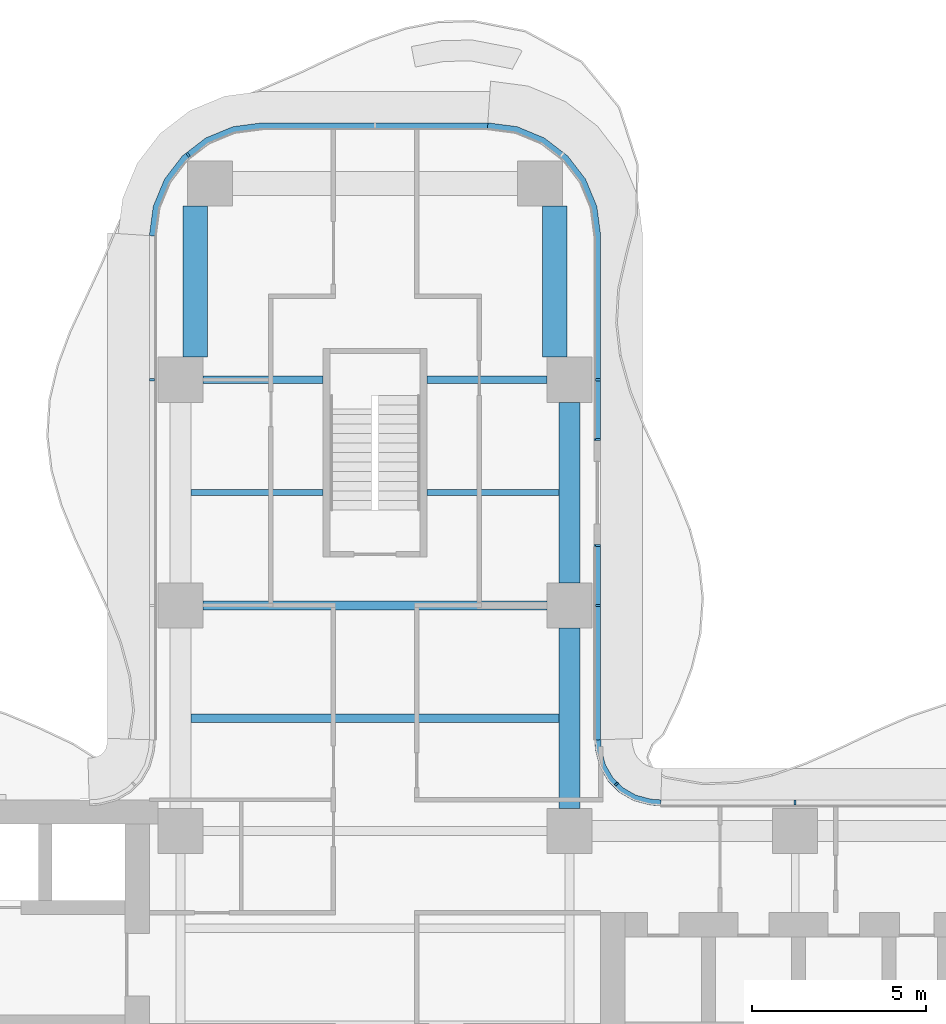
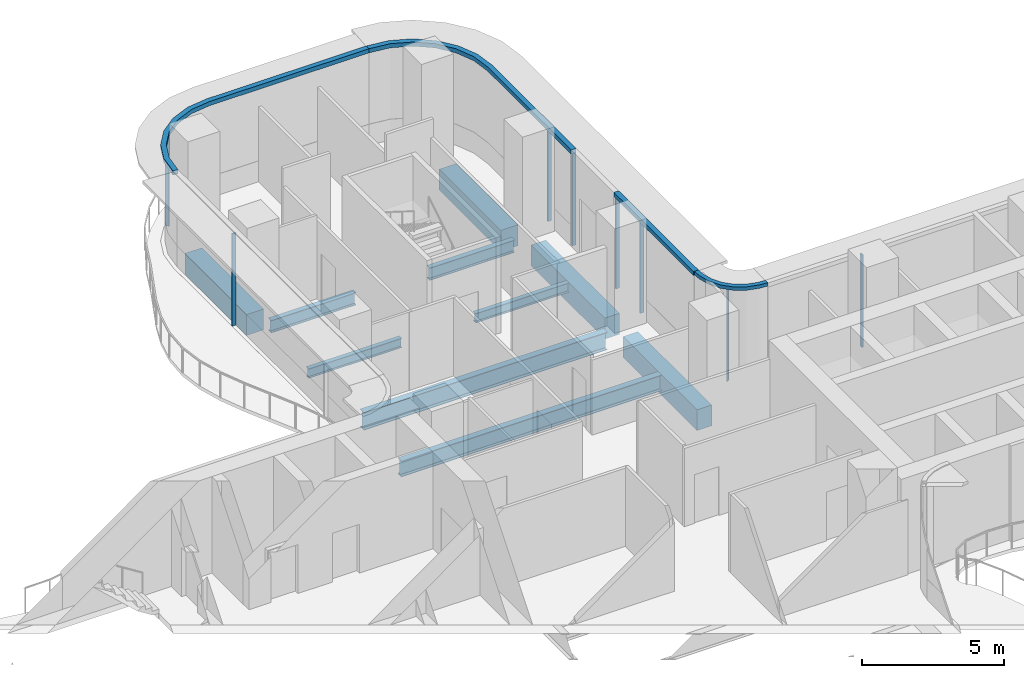
# One storey, part 9 of 20: 12 members, 10 beams, 6 elements without a shape of their own.
"""IFC4 building model written with IfcOpenShell, lengths in metres."""

from ifc_helpers import new_model, si_unit, direction, frame, origin, origin_2d, place, context, subcontext, project, spatial, polyline, rectangle, i_section, outline, extrude, source, transform, mapped, material, layer, layer_set, material_profile, profile_set, type_object, element, aggregate, save


model = new_model("IFC4")

# Units and contexts
model_context = context("Model", 3, precision=1e-05, world=origin(), true_north=direction((0.0, 1.0)))
body_context = subcontext(model_context, "Body", "Model", "MODEL_VIEW")
ifc_project = project(units=[si_unit("LENGTHUNIT", "METRE"), si_unit("AREAUNIT", "SQUARE_METRE"), si_unit("VOLUMEUNIT", "CUBIC_METRE"), si_unit("PLANEANGLEUNIT", "RADIAN"), si_unit("MASSUNIT", "GRAM", prefix="KILO")], contexts=[model_context])

# Site, building, storey
site_placement = place(None, origin())
site = spatial("IfcSite", under=ifc_project, at=site_placement, CompositionType="ELEMENT")
building_placement = place(site_placement, origin())
building = spatial("IfcBuilding", under=site, at=building_placement, Name="Trellis Farm Tower", CompositionType="ELEMENT")
storey_placement = place(building_placement, frame((0.0, 0.0, 151.5)))
storey = spatial("IfcBuildingStorey", under=building, at=storey_placement, Name="L32", CompositionType="ELEMENT", Elevation=151.5)

# Beams
ifc_material_1 = material(Name="Steel S355", Category="steel")
ifc_material_profile_1 = material_profile(ifc_material_1, i_section(OverallWidth=0.177978515625, OverallDepth=0.406494140625, WebThickness=0.0078125, FlangeThickness=0.0126953125, FilletRadius=0.01025390625, at=origin_2d()), Name="UB 406x178x60")
ifc_profile_set_1 = profile_set([ifc_material_profile_1], Name="Steel S355")
beam_type_1 = type_object("IfcBeamType", Name="UB 406x178x60 joist", PredefinedType="JOIST", material=ifc_profile_set_1)
shared_shape_1 = source(origin(), body_context, "Body", "SweptSolid", [
    extrude(i_section(OverallWidth=0.177978515625, OverallDepth=0.406494140625, WebThickness=0.0078125, FlangeThickness=0.0126953125, FilletRadius=0.01025390625, at=origin_2d()), origin(), (0.0, 0.0, 1.0), 3.800048828125),
])
for number, where, z_axis, x_axis, name in (
    (1, (-5.300048828125, 15.35009765625, -0.453125), (1.0, 0.0, 0.0), (0.0, 1.0, 0.0), "Floor beam"),
    (2, (1.5, 15.35009765625, -0.453125), (1.0, 0.0, 0.0), (0.0, 1.0, 0.0), "Floor beam"),
):
    element("IfcBeam", number, at=place(storey_placement, frame(where, z_axis=z_axis, x_axis=x_axis)), inside=storey, type_object=beam_type_1, Name=name, PredefinedType="JOIST", context=body_context, shape_type="MappedRepresentation", body=[
        mapped(shared_shape_1, transform((0.0, 0.0, 0.0))),
    ])
ifc_material_profile_2 = material_profile(ifc_material_1, i_section(OverallWidth=0.253662109375, OverallDepth=0.68359375, WebThickness=0.012451171875, FlangeThickness=0.021728515625, FilletRadius=0.01513671875, at=origin_2d()), Name="UB 686x254x140")
ifc_profile_set_2 = profile_set([ifc_material_profile_2], Name="Steel S355")
beam_type_2 = type_object("IfcBeamType", Name="UB 686x254x140 joist", PredefinedType="JOIST", material=ifc_profile_set_2)
shared_shape_2 = source(origin(), body_context, "Body", "SweptSolid", [
    extrude(i_section(OverallWidth=0.253662109375, OverallDepth=0.68359375, WebThickness=0.012451171875, FlangeThickness=0.021728515625, FilletRadius=0.01513671875, at=origin_2d()), origin(), (0.0, 0.0, 1.0), 10.60009765625),
])
beam_1_placement = place(storey_placement, frame((-5.300048828125, 8.85009765625, -0.591796875), z_axis=(1.0, 0.0, 0.0), x_axis=(0.0, 1.0, 0.0)))
element("IfcBeam", 3, at=beam_1_placement, inside=storey, type_object=beam_type_2, Name="Floor beam", PredefinedType="JOIST", context=body_context, shape_type="MappedRepresentation", body=[
    mapped(shared_shape_2, transform((0.0, 0.0, 0.0))),
])
ifc_material_profile_3 = material_profile(ifc_material_1, i_section(OverallWidth=0.209228515625, OverallDepth=0.533203125, WebThickness=0.010009765625, FlangeThickness=0.015625, FilletRadius=0.0126953125, at=origin_2d()), Name="UB 533x210x92")
ifc_profile_set_3 = profile_set([ifc_material_profile_3], Name="Steel S355")
beam_type_3 = type_object("IfcBeamType", Name="UB 533x210x92", PredefinedType="BEAM", material=ifc_profile_set_3)
shared_shape_3 = source(origin(), body_context, "Body", "SweptSolid", [
    extrude(i_section(OverallWidth=0.209228515625, OverallDepth=0.533203125, WebThickness=0.010009765625, FlangeThickness=0.015625, FilletRadius=0.0126953125, at=origin_2d()), origin(), (0.0, 0.0, 1.0), 3.449951171875),
])
for number, where, z_axis, x_axis, name in (
    (4, (-4.949951171875, 18.60009765625, -0.5166015625), (1.0, 0.0, 0.0), (0.0, 1.0, 0.0), "Girder"),
    (5, (1.5, 18.60009765625, -0.5166015625), (1.0, 0.0, 0.0), (0.0, 1.0, 0.0), "Girder"),
):
    element("IfcBeam", number, at=place(storey_placement, frame(where, z_axis=z_axis, x_axis=x_axis)), inside=storey, type_object=beam_type_3, Name=name, PredefinedType="BEAM", context=body_context, shape_type="MappedRepresentation", body=[
        mapped(shared_shape_3, transform((0.0, 0.0, 0.0))),
    ])
ifc_material_profile_4 = material_profile(ifc_material_1, i_section(OverallWidth=0.2666015625, OverallDepth=0.76220703125, WebThickness=0.014404296875, FlangeThickness=0.021484375, FilletRadius=0.0166015625, at=origin_2d()), Name="UB 762x267x173")
ifc_profile_set_4 = profile_set([ifc_material_profile_4], Name="Steel S355")
beam_type_4 = type_object("IfcBeamType", Name="UB 762x267x173", PredefinedType="BEAM", material=ifc_profile_set_4)
shared_shape_4 = source(origin(), body_context, "Body", "SweptSolid", [
    extrude(i_section(OverallWidth=0.2666015625, OverallDepth=0.76220703125, WebThickness=0.014404296875, FlangeThickness=0.021484375, FilletRadius=0.0166015625, at=origin_2d()), origin(), (0.0, 0.0, 1.0), 9.89990234375),
])
beam_2_placement = place(storey_placement, frame((-4.949951171875, 12.10009765625, -0.631103515625), z_axis=(1.0, 0.0, 0.0), x_axis=(0.0, 1.0, 0.0)))
element("IfcBeam", 6, at=beam_2_placement, inside=storey, type_object=beam_type_4, Name="Girder", PredefinedType="BEAM", context=body_context, shape_type="MappedRepresentation", body=[
    mapped(shared_shape_4, transform((0.0, 0.0, 0.0))),
])
ifc_material_2 = material(Name="Concrete C60/75", Category="concrete")
ifc_material_profile_5 = material_profile(ifc_material_2, rectangle(XDim=0.60009765625, YDim=0.89990234375, at=origin_2d()), Name="RC spandrel beam 600x900 C60/75")
ifc_profile_set_5 = profile_set([ifc_material_profile_5], Name="Concrete C60/75")
beam_type_5 = type_object("IfcBeamType", Name="RC spandrel beam 600x900 C60/75", PredefinedType="SPANDREL", material=ifc_profile_set_5)
shared_shape_5 = source(origin(), body_context, "Body", "SweptSolid", [
    extrude(rectangle(XDim=0.60009765625, YDim=0.89990234375, at=origin_2d()), origin(), (0.0, 0.0, 1.0), 5.199951171875),
])
for number, where, z_axis, x_axis, name in (
    (7, (5.60009765625, 6.25, -0.699951171875), (0.0, 1.0, 0.0), (-1.0, 0.0, 0.0), "Girder"),
    (8, (5.60009765625, 12.75, -0.699951171875), (0.0, 1.0, 0.0), (-1.0, 0.0, 0.0), "Girder"),
):
    element("IfcBeam", number, at=place(storey_placement, frame(where, z_axis=z_axis, x_axis=x_axis)), inside=storey, type_object=beam_type_5, Name=name, PredefinedType="SPANDREL", context=body_context, shape_type="MappedRepresentation", body=[
        mapped(shared_shape_5, transform((0.0, 0.0, 0.0))),
    ])
ifc_material_profile_6 = material_profile(ifc_material_2, rectangle(XDim=0.699951171875, YDim=0.89990234375, at=origin_2d()), Name="RC spandrel beam 700x900 C60/75")
ifc_profile_set_6 = profile_set([ifc_material_profile_6], Name="Concrete C60/75")
beam_type_6 = type_object("IfcBeamType", Name="RC spandrel beam 700x900 C60/75", PredefinedType="SPANDREL", material=ifc_profile_set_6)
shared_shape_6 = source(origin(), body_context, "Body", "SweptSolid", [
    extrude(rectangle(XDim=0.699951171875, YDim=0.89990234375, at=origin_2d()), origin(), (0.0, 0.0, 1.0), 4.35009765625),
])
for number, where, z_axis, x_axis, name in (
    (9, (-5.175048828125, 19.25, -0.699951171875), (0.0, 1.0, 0.0), (-1.0, 0.0, 0.0), "Girder"),
    (10, (5.175048828125, 19.25, -0.699951171875), (0.0, 1.0, 0.0), (-1.0, 0.0, 0.0), "Girder"),
):
    element("IfcBeam", number, at=place(storey_placement, frame(where, z_axis=z_axis, x_axis=x_axis)), inside=storey, type_object=beam_type_6, Name=name, PredefinedType="SPANDREL", context=body_context, shape_type="MappedRepresentation", body=[
        mapped(shared_shape_6, transform((0.0, 0.0, 0.0))),
    ])

# Curtain wall, member
ifc_material_3 = material(Name="Aluminium and glass curtain wall", Category="aluminium")
ifc_layer_1 = layer(ifc_material_3, 0.166015625)
ifc_layer_set_1 = layer_set([ifc_layer_1], Name="WINTER GARDEN CURTAIN WALL CW3")
curtain_wall_type_1 = type_object("IfcCurtainWallType", Name="WINTER GARDEN CURTAIN WALL CW3", PredefinedType="NOTDEFINED", material=ifc_layer_set_1)
placement_1 = place(storey_placement, origin())
curtain_wall_1 = element("IfcCurtainWall", 11, at=placement_1, inside=storey, type_object=curtain_wall_type_1, Name="CW3 003", PredefinedType="NOTDEFINED")
ifc_material_4 = material(Name="Aluminium extrusion 6063-T6", Category="aluminium")
ifc_layer_2 = layer(ifc_material_4, 0.169921875)
ifc_layer_set_2 = layer_set([ifc_layer_2], Name="Aluminium extrusion 6063-T6")
member_type_1 = type_object("IfcMemberType", Name="CW3 TRANSOM 170x150", PredefinedType="USERDEFINED", material=ifc_layer_set_2)
shared_shape_7 = source(origin(), body_context, "Body", "SweptSolid", [
    extrude(outline(polyline([(8.2314453125, 6.5), (8.01953125, 6.513916015625), (7.91552734375, 6.527587890625), (7.508544921875, 6.63671875), (7.144287109375, 6.846923828125), (6.846923828125, 7.144287109375), (6.63671875, 7.508544921875), (6.527587890625, 7.91552734375), (6.513916015625, 8.01953125), (6.5, 8.2314453125), (6.330078125, 8.225830078125), (6.3447265625, 8.0029296875), (6.360595703125, 7.88232421875), (6.478271484375, 7.44287109375), (6.7109375, 7.0400390625), (7.0400390625, 6.7109375), (7.44287109375, 6.478271484375), (7.88232421875, 6.360595703125), (8.0029296875, 6.3447265625), (8.225830078125, 6.330078125), (8.2314453125, 6.5)])), origin(), (0.0, 0.0, 1.0), 0.14990234375),
])
member_1_placement = place(storey_placement, frame((0.0, 0.0, 4.0)))
member_1 = element("IfcMember", 12, at=member_1_placement, type_object=member_type_1, Name="TR3 003", ObjectType="TRANSOM", PredefinedType="USERDEFINED", context=body_context, shape_type="MappedRepresentation", body=[
    mapped(shared_shape_7, transform((0.0, 0.0, 0.0))),
])

ifc_layer_3 = layer(ifc_material_3, 0.18994140625)
ifc_layer_set_3 = layer_set([ifc_layer_3], Name="RIBBON CURTAIN WALL CW1")
curtain_wall_type_2 = type_object("IfcCurtainWallType", Name="RIBBON CURTAIN WALL CW1", PredefinedType="NOTDEFINED", material=ifc_layer_set_3)
curtain_wall_2 = element("IfcCurtainWall", 13, at=placement_1, inside=storey, type_object=curtain_wall_type_2, Name="CW1 011", PredefinedType="NOTDEFINED")
ifc_layer_4 = layer(ifc_material_4, 0.199951171875)
ifc_layer_set_4 = layer_set([ifc_layer_4], Name="Aluminium extrusion 6063-T6")
member_type_2 = type_object("IfcMemberType", Name="CW1 TRANSOM 200x180", PredefinedType="USERDEFINED", material=ifc_layer_set_4)
shared_shape_8 = source(origin(), body_context, "Body", "SweptSolid", [
    extrude(outline(polyline([(3.25, 26.0), (-3.25, 26.0), (-4.091064453125, 25.88916015625), (-4.875, 25.564697265625), (-5.548095703125, 25.048095703125), (-6.064697265625, 24.375), (-6.38916015625, 23.591064453125), (-6.5, 22.75), (-6.300048828125, 22.73681640625), (-6.1943359375, 23.5390625), (-5.889892578125, 24.274169921875), (-5.405517578125, 24.905517578125), (-4.774169921875, 25.389892578125), (-4.0390625, 25.6943359375), (-3.23681640625, 25.800048828125), (3.23681640625, 25.800048828125), (3.25, 26.0)])), origin(), (0.0, 0.0, 1.0), 0.179931640625),
])
placement_2 = place(storey_placement, frame((0.0, 0.0, 3.969970703125)))
member_2 = element("IfcMember", 14, at=placement_2, type_object=member_type_2, Name="TR1 011", ObjectType="TRANSOM", PredefinedType="USERDEFINED", context=body_context, shape_type="MappedRepresentation", body=[
    mapped(shared_shape_8, transform((0.0, 0.0, 0.0))),
])

curtain_wall_3 = element("IfcCurtainWall", 15, at=placement_1, inside=storey, type_object=curtain_wall_type_2, Name="CW1 008", PredefinedType="NOTDEFINED")
ifc_material_profile_7 = material_profile(ifc_material_4, rectangle(XDim=0.06005859375, YDim=0.14990234375, at=origin_2d()), Name="MULLION 60x150")
ifc_profile_set_7 = profile_set([ifc_material_profile_7], Name="Aluminium extrusion 6063-T6")
member_type_3 = type_object("IfcMemberType", Name="CW1 MULLION 60x150", PredefinedType="MULLION", material=ifc_profile_set_7)
shared_shape_9 = source(origin(), body_context, "Body", "SweptSolid", [
    extrude(rectangle(XDim=0.06005859375, YDim=0.14990234375, at=origin_2d()), origin(), (0.0, 0.0, 1.0), 3.969970703125),
])
member_3_placement = place(storey_placement, frame((12.10009765625, 6.425048828125, 0.0), z_axis=(0.0, 0.0, 1.0), x_axis=(-1.0, 0.0, 0.0)))
member_3 = element("IfcMember", 16, at=member_3_placement, type_object=member_type_3, Name="MU1 008-02", PredefinedType="MULLION", context=body_context, shape_type="MappedRepresentation", body=[
    mapped(shared_shape_9, transform((0.0, 0.0, 0.0))),
])
aggregate(curtain_wall_3, [member_3])

# Curtain wall, members
curtain_wall_4 = element("IfcCurtainWall", 17, at=placement_1, inside=storey, type_object=curtain_wall_type_2, Name="CW1 009", PredefinedType="NOTDEFINED")
member_4_placement = place(storey_placement, frame((6.425048828125, 12.10009765625, 0.0), z_axis=(0.0, 0.0, 1.0), x_axis=(0.0, 1.0, 0.0)))
member_4 = element("IfcMember", 18, at=member_4_placement, type_object=member_type_3, Name="MU1 009-01", PredefinedType="MULLION", context=body_context, shape_type="MappedRepresentation", body=[
    mapped(shared_shape_9, transform((0.0, 0.0, 0.0))),
])
member_5_placement = place(storey_placement, frame((6.425048828125, 13.820068359375, 0.0), z_axis=(0.0, 0.0, 1.0), x_axis=(0.0, 1.0, 0.0)))
member_5 = element("IfcMember", 19, at=member_5_placement, type_object=member_type_3, Name="MU1 009-02", PredefinedType="MULLION", context=body_context, shape_type="MappedRepresentation", body=[
    mapped(shared_shape_9, transform((0.0, 0.0, 0.0))),
])

curtain_wall_5 = element("IfcCurtainWall", 20, at=placement_1, inside=storey, type_object=curtain_wall_type_2, Name="CW1 010", PredefinedType="NOTDEFINED")
member_6_placement = place(storey_placement, frame((6.425048828125, 16.8798828125, 0.0), z_axis=(0.0, 0.0, 1.0), x_axis=(0.0, 1.0, 0.0)))
member_6 = element("IfcMember", 21, at=member_6_placement, type_object=member_type_3, Name="MU1 010-01", PredefinedType="MULLION", context=body_context, shape_type="MappedRepresentation", body=[
    mapped(shared_shape_9, transform((0.0, 0.0, 0.0))),
])
member_7_placement = place(storey_placement, frame((6.425048828125, 18.60009765625, 0.0), z_axis=(0.0, 0.0, 1.0), x_axis=(0.0, 1.0, 0.0)))
member_7 = element("IfcMember", 22, at=member_7_placement, type_object=member_type_3, Name="MU1 010-02", PredefinedType="MULLION", context=body_context, shape_type="MappedRepresentation", body=[
    mapped(shared_shape_9, transform((0.0, 0.0, 0.0))),
])

# Member
member_8_placement = place(storey_placement, frame((-5.385498046875, 25.078369140625, 0.0), z_axis=(0.0, 0.0, 1.0), x_axis=(-0.793353340291, -0.608761429009, 0.0)))
member_8 = element("IfcMember", 23, at=member_8_placement, type_object=member_type_3, Name="MU1 011-02", PredefinedType="MULLION", context=body_context, shape_type="MappedRepresentation", body=[
    mapped(shared_shape_9, transform((0.0, 0.0, 0.0))),
])

aggregate(curtain_wall_2, [member_8, member_2])

# Curtain wall, member
curtain_wall_6 = element("IfcCurtainWall", 24, at=placement_1, inside=storey, type_object=curtain_wall_type_2, Name="CW1 012", PredefinedType="NOTDEFINED")
member_9_placement = place(storey_placement, frame((-6.425048828125, 18.60009765625, 0.0), z_axis=(0.0, 0.0, 1.0), x_axis=(0.0, -1.0, 0.0)))
member_9 = element("IfcMember", 25, at=member_9_placement, type_object=member_type_3, Name="MU1 012-01", PredefinedType="MULLION", context=body_context, shape_type="MappedRepresentation", body=[
    mapped(shared_shape_9, transform((0.0, 0.0, 0.0))),
])
aggregate(curtain_wall_6, [member_9])

# Member
ifc_material_profile_8 = material_profile(ifc_material_4, rectangle(XDim=0.050048828125, YDim=0.1201171875, at=origin_2d()), Name="MULLION 50x120")
ifc_profile_set_8 = profile_set([ifc_material_profile_8], Name="Aluminium extrusion 6063-T6")
member_type_4 = type_object("IfcMemberType", Name="CW3 MULLION 50x120", PredefinedType="MULLION", material=ifc_profile_set_8)
shared_shape_10 = source(origin(), body_context, "Body", "SweptSolid", [
    extrude(rectangle(XDim=0.050048828125, YDim=0.1201171875, at=origin_2d()), origin(), (0.0, 0.0, 1.0), 4.0),
])
member_10_placement = place(storey_placement, frame((6.953125, 6.953125, 0.0), z_axis=(0.0, 0.0, 1.0), x_axis=(-0.707106781187, 0.707106781187, 0.0)))
member_10 = element("IfcMember", 26, at=member_10_placement, type_object=member_type_4, Name="MU3 003-01", PredefinedType="MULLION", context=body_context, shape_type="MappedRepresentation", body=[
    mapped(shared_shape_10, transform((0.0, 0.0, 0.0))),
])

aggregate(curtain_wall_1, [member_10, member_1])

shared_shape_11 = source(origin(), body_context, "Body", "SweptSolid", [
    extrude(outline(polyline([(6.5, 8.2314453125), (6.5, 13.85009765625), (6.300048828125, 13.85009765625), (6.300048828125, 8.224853515625), (6.5, 8.2314453125)])), origin(), (0.0, 0.0, 1.0), 0.179931640625),
])
member_11 = element("IfcMember", 27, at=placement_2, type_object=member_type_2, Name="TR1 009", ObjectType="TRANSOM", PredefinedType="USERDEFINED", context=body_context, shape_type="MappedRepresentation", body=[
    mapped(shared_shape_11, transform((0.0, 0.0, 0.0))),
])

aggregate(curtain_wall_4, [member_4, member_5, member_11])

shared_shape_12 = source(origin(), body_context, "Body", "SweptSolid", [
    extrude(outline(polyline([(6.5, 16.85009765625), (6.5, 22.75), (6.38916015625, 23.591064453125), (6.064697265625, 24.375), (5.548095703125, 25.048095703125), (4.875, 25.564697265625), (4.091064453125, 25.88916015625), (3.25, 26.0), (3.23681640625, 25.800048828125), (4.0390625, 25.6943359375), (4.774169921875, 25.389892578125), (5.405517578125, 24.905517578125), (5.889892578125, 24.274169921875), (6.1943359375, 23.5390625), (6.300048828125, 22.73681640625), (6.300048828125, 16.85009765625), (6.5, 16.85009765625)])), origin(), (0.0, 0.0, 1.0), 0.179931640625),
])
member_12 = element("IfcMember", 28, at=placement_2, type_object=member_type_2, Name="TR1 010", ObjectType="TRANSOM", PredefinedType="USERDEFINED", context=body_context, shape_type="MappedRepresentation", body=[
    mapped(shared_shape_12, transform((0.0, 0.0, 0.0))),
])

aggregate(curtain_wall_5, [member_6, member_7, member_12])

save(model, "model.ifc")
